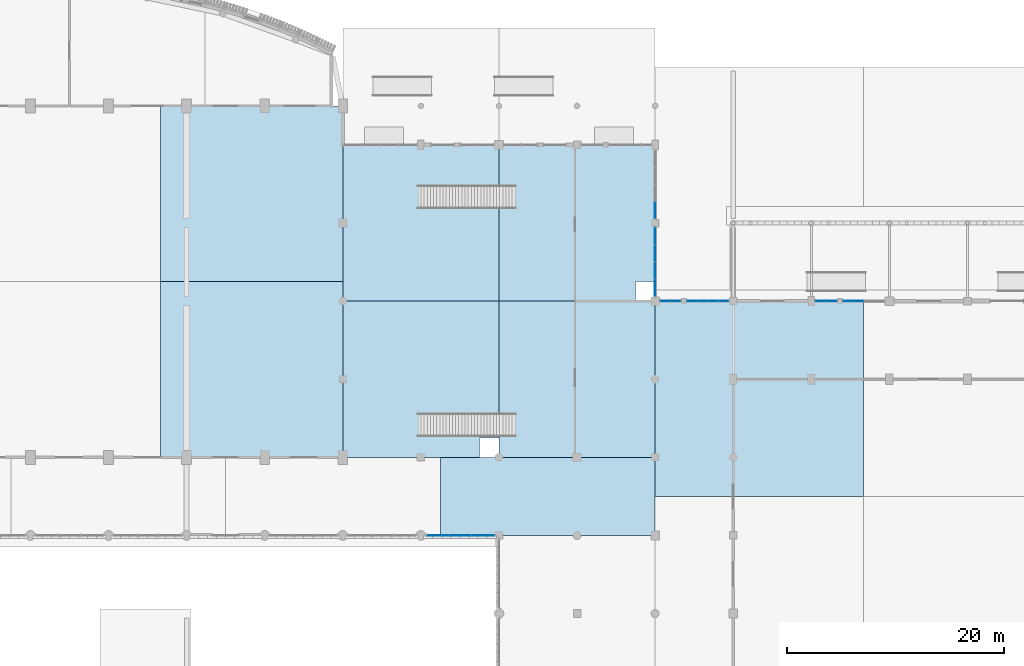
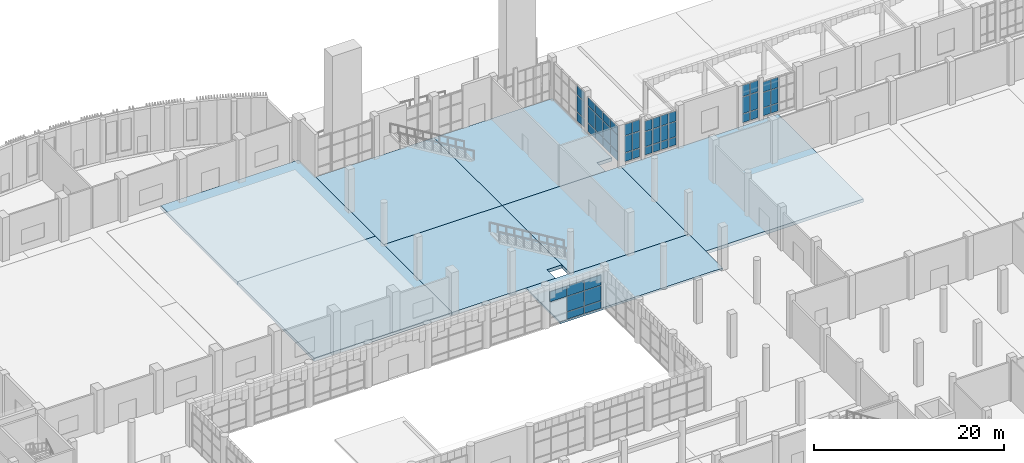
# One storey, part 43 of 85: 52 plates, 8 slabs, 7 elements without a shape of their own.
"""IFC4 building model written with IfcOpenShell, lengths in metres."""

from ifc_helpers import new_model, si_unit, direction, frame, origin, origin_2d, place, context, subcontext, project, spatial, polyline, rectangle, outline, extrude, material, layer, layer_set, type_object, element, aggregate, save


model = new_model("IFC4")

# Units and contexts
model_context = context("Model", 3, precision=1e-05, world=origin(), true_north=direction((0.0, 1.0)))
body_context = subcontext(model_context, "Body", "Model", "MODEL_VIEW")
ifc_project = project(units=[si_unit("LENGTHUNIT", "METRE"), si_unit("AREAUNIT", "SQUARE_METRE"), si_unit("VOLUMEUNIT", "CUBIC_METRE"), si_unit("PLANEANGLEUNIT", "RADIAN"), si_unit("MASSUNIT", "GRAM", prefix="KILO")], contexts=[model_context])

# Site, building, storey
site_placement = place(None, origin())
site = spatial("IfcSite", under=ifc_project, at=site_placement, CompositionType="ELEMENT")
building_placement = place(site_placement, origin())
building = spatial("IfcBuilding", under=site, at=building_placement, Name="Sardonyx Promenade Sports Hall", CompositionType="ELEMENT")
storey_placement = place(building_placement, origin())
storey = spatial("IfcBuildingStorey", under=building, at=storey_placement, Name="L00", CompositionType="ELEMENT", Elevation=0.0)

# Curtain wall, plates
ifc_material_1 = material(Name="Aluminium 6063-T6", Category="aluminium")
curtain_wall_type_1 = type_object("IfcCurtainWallType", Name="CW_Riwaq_L00_640", PredefinedType="USERDEFINED", material=ifc_material_1)
curtain_wall_1_placement = place(storey_placement, origin())
curtain_wall_1 = element("IfcCurtainWall", 1, at=curtain_wall_1_placement, inside=storey, type_object=curtain_wall_type_1, Name="Curtain wall CW17 cw:L00:119", ObjectType="CURTAIN WALL", PredefinedType="USERDEFINED")
ifc_material_2 = material(Name="Double-glazed acoustic IGU 32 mm", Category="glass")
ifc_layer_1 = layer(ifc_material_2, 0.031982421875)
ifc_layer_set_1 = layer_set([ifc_layer_1], Name="CW_Pan_Glz_32")
plate_type_1 = type_object("IfcPlateType", Name="CW_Pan_Glz_32", PredefinedType="CURTAIN_PANEL", material=ifc_layer_set_1)
plate_1_placement = place(storey_placement, frame((92.1484375, 64.800048828125, 0.06494140625), z_axis=(0.0, 0.0, 1.0), x_axis=(-1.0, 0.0, 0.0)))
plate_1 = element("IfcPlate", 2, at=plate_1_placement, type_object=plate_type_1, Name="Curtain panel CP02 cw:L00:119 #1", PredefinedType="CURTAIN_PANEL", context=body_context, shape_type="SweptSolid", body=[
    extrude(rectangle(XDim=2.033447265625, YDim=0.031982421875, at=origin_2d()), origin(), (0.0, 0.0, 1.0), 0.902587890625),
])
plate_2_placement = place(storey_placement, frame((92.1484375, 64.800048828125, 1.032470703125), z_axis=(0.0, 0.0, 1.0), x_axis=(-1.0, 0.0, 0.0)))
plate_2 = element("IfcPlate", 3, at=plate_2_placement, type_object=plate_type_1, Name="Curtain panel CP02 cw:L00:119 #2", PredefinedType="CURTAIN_PANEL", context=body_context, shape_type="SweptSolid", body=[
    extrude(rectangle(XDim=2.033447265625, YDim=0.031982421875, at=origin_2d()), origin(), (0.0, 0.0, 1.0), 1.93505859375),
])
plate_3_placement = place(storey_placement, frame((92.1484375, 64.800048828125, 3.03271484375), z_axis=(0.0, 0.0, 1.0), x_axis=(-1.0, 0.0, 0.0)))
plate_3 = element("IfcPlate", 4, at=plate_3_placement, type_object=plate_type_1, Name="Curtain panel CP02 cw:L00:119 #3", PredefinedType="CURTAIN_PANEL", context=body_context, shape_type="SweptSolid", body=[
    extrude(rectangle(XDim=2.033447265625, YDim=0.031982421875, at=origin_2d()), origin(), (0.0, 0.0, 1.0), 1.302490234375),
])
plate_4_placement = place(storey_placement, frame((90.050048828125, 64.800048828125, 0.06494140625), z_axis=(0.0, 0.0, 1.0), x_axis=(-1.0, 0.0, 0.0)))
plate_4 = element("IfcPlate", 5, at=plate_4_placement, type_object=plate_type_1, Name="Curtain panel CP02 cw:L00:119 #4", PredefinedType="CURTAIN_PANEL", context=body_context, shape_type="SweptSolid", body=[
    extrude(rectangle(XDim=2.033447265625, YDim=0.031982421875, at=origin_2d()), origin(), (0.0, 0.0, 1.0), 0.902587890625),
])
plate_5_placement = place(storey_placement, frame((90.050048828125, 64.800048828125, 1.032470703125), z_axis=(0.0, 0.0, 1.0), x_axis=(-1.0, 0.0, 0.0)))
plate_5 = element("IfcPlate", 6, at=plate_5_placement, type_object=plate_type_1, Name="Curtain panel CP02 cw:L00:119 #5", PredefinedType="CURTAIN_PANEL", context=body_context, shape_type="SweptSolid", body=[
    extrude(rectangle(XDim=2.033447265625, YDim=0.031982421875, at=origin_2d()), origin(), (0.0, 0.0, 1.0), 1.93505859375),
])
plate_6_placement = place(storey_placement, frame((90.050048828125, 64.800048828125, 3.03271484375), z_axis=(0.0, 0.0, 1.0), x_axis=(-1.0, 0.0, 0.0)))
plate_6 = element("IfcPlate", 7, at=plate_6_placement, type_object=plate_type_1, Name="Curtain panel CP02 cw:L00:119 #6", PredefinedType="CURTAIN_PANEL", context=body_context, shape_type="SweptSolid", body=[
    extrude(rectangle(XDim=2.033447265625, YDim=0.031982421875, at=origin_2d()), origin(), (0.0, 0.0, 1.0), 1.302490234375),
])
plate_7_placement = place(storey_placement, frame((87.95166015625, 64.800048828125, 3.03271484375), z_axis=(0.0, 0.0, 1.0), x_axis=(-1.0, 0.0, 0.0)))
plate_7 = element("IfcPlate", 8, at=plate_7_placement, type_object=plate_type_1, Name="Curtain panel CP02 cw:L00:119 #9", PredefinedType="CURTAIN_PANEL", context=body_context, shape_type="SweptSolid", body=[
    extrude(rectangle(XDim=2.033447265625, YDim=0.031982421875, at=origin_2d()), origin(), (0.0, 0.0, 1.0), 1.302490234375),
])
aggregate(curtain_wall_1, [plate_1, plate_2, plate_3, plate_4, plate_5, plate_6, plate_7])

ifc_material_3 = material(Name="Aluminium 6063-T6", Category="aluminium")
curtain_wall_type_2 = type_object("IfcCurtainWallType", Name="CW_Prac_North_L00", PredefinedType="USERDEFINED", material=ifc_material_3)
curtain_wall_2_placement = place(storey_placement, origin())
curtain_wall_2 = element("IfcCurtainWall", 9, at=curtain_wall_2_placement, inside=storey, type_object=curtain_wall_type_2, Name="Curtain wall CW06 cw:L00:098", ObjectType="CURTAIN WALL", PredefinedType="USERDEFINED")
ifc_material_4 = material(Name="Laminated safety sports IGU 36 mm", Category="glass")
ifc_layer_2 = layer(ifc_material_4, 0.035888671875)
ifc_layer_set_2 = layer_set([ifc_layer_2], Name="CW_Pan_Glz_36")
plate_type_2 = type_object("IfcPlateType", Name="CW_Pan_Glz_36", PredefinedType="CURTAIN_PANEL", material=ifc_layer_set_2)
plate_8_placement = place(storey_placement, frame((111.4130859375, 86.39990234375, 0.419921875), z_axis=(0.0, 0.0, 1.0), x_axis=(1.0, 0.0, 0.0)))
plate_8 = element("IfcPlate", 10, at=plate_8_placement, type_object=plate_type_2, Name="Curtain panel CP03 cw:L00:098 #1", PredefinedType="CURTAIN_PANEL", context=body_context, shape_type="SweptSolid", body=[
    extrude(rectangle(XDim=0.896240234375, YDim=0.035888671875, at=origin_2d()), origin(), (0.0, 0.0, 1.0), 0.9951171875),
])
plate_9_placement = place(storey_placement, frame((111.4130859375, 86.39990234375, 1.48486328125), z_axis=(0.0, 0.0, 1.0), x_axis=(1.0, 0.0, 0.0)))
plate_9 = element("IfcPlate", 11, at=plate_9_placement, type_object=plate_type_2, Name="Curtain panel CP03 cw:L00:098 #2", PredefinedType="CURTAIN_PANEL", context=body_context, shape_type="SweptSolid", body=[
    extrude(rectangle(XDim=0.896240234375, YDim=0.035888671875, at=origin_2d()), origin(), (0.0, 0.0, 1.0), 1.929931640625),
])
plate_10_placement = place(storey_placement, frame((111.4130859375, 86.39990234375, 3.485107421875), z_axis=(0.0, 0.0, 1.0), x_axis=(1.0, 0.0, 0.0)))
plate_10 = element("IfcPlate", 12, at=plate_10_placement, type_object=plate_type_2, Name="Curtain panel CP03 cw:L00:098 #3", PredefinedType="CURTAIN_PANEL", context=body_context, shape_type="SweptSolid", body=[
    extrude(rectangle(XDim=0.896240234375, YDim=0.035888671875, at=origin_2d()), origin(), (0.0, 0.0, 1.0), 1.294921875),
])
plate_11_placement = place(storey_placement, frame((112.37939453125, 86.39990234375, 0.419921875), z_axis=(0.0, 0.0, 1.0), x_axis=(1.0, 0.0, 0.0)))
plate_11 = element("IfcPlate", 13, at=plate_11_placement, type_object=plate_type_2, Name="Curtain panel CP03 cw:L00:098 #4", PredefinedType="CURTAIN_PANEL", context=body_context, shape_type="SweptSolid", body=[
    extrude(rectangle(XDim=0.896240234375, YDim=0.035888671875, at=origin_2d()), origin(), (0.0, 0.0, 1.0), 0.9951171875),
])
plate_12_placement = place(storey_placement, frame((112.37939453125, 86.39990234375, 1.48486328125), z_axis=(0.0, 0.0, 1.0), x_axis=(1.0, 0.0, 0.0)))
plate_12 = element("IfcPlate", 14, at=plate_12_placement, type_object=plate_type_2, Name="Curtain panel CP03 cw:L00:098 #5", PredefinedType="CURTAIN_PANEL", context=body_context, shape_type="SweptSolid", body=[
    extrude(rectangle(XDim=0.896240234375, YDim=0.035888671875, at=origin_2d()), origin(), (0.0, 0.0, 1.0), 1.929931640625),
])
plate_13_placement = place(storey_placement, frame((112.37939453125, 86.39990234375, 3.485107421875), z_axis=(0.0, 0.0, 1.0), x_axis=(1.0, 0.0, 0.0)))
plate_13 = element("IfcPlate", 15, at=plate_13_placement, type_object=plate_type_2, Name="Curtain panel CP03 cw:L00:098 #6", PredefinedType="CURTAIN_PANEL", context=body_context, shape_type="SweptSolid", body=[
    extrude(rectangle(XDim=0.896240234375, YDim=0.035888671875, at=origin_2d()), origin(), (0.0, 0.0, 1.0), 1.294921875),
])
plate_14_placement = place(storey_placement, frame((113.345703125, 86.39990234375, 0.419921875), z_axis=(0.0, 0.0, 1.0), x_axis=(1.0, 0.0, 0.0)))
plate_14 = element("IfcPlate", 16, at=plate_14_placement, type_object=plate_type_2, Name="Curtain panel CP03 cw:L00:098 #7", PredefinedType="CURTAIN_PANEL", context=body_context, shape_type="SweptSolid", body=[
    extrude(rectangle(XDim=0.896240234375, YDim=0.035888671875, at=origin_2d()), origin(), (0.0, 0.0, 1.0), 0.9951171875),
])
plate_15_placement = place(storey_placement, frame((113.345703125, 86.39990234375, 1.48486328125), z_axis=(0.0, 0.0, 1.0), x_axis=(1.0, 0.0, 0.0)))
plate_15 = element("IfcPlate", 17, at=plate_15_placement, type_object=plate_type_2, Name="Curtain panel CP03 cw:L00:098 #8", PredefinedType="CURTAIN_PANEL", context=body_context, shape_type="SweptSolid", body=[
    extrude(rectangle(XDim=0.896240234375, YDim=0.035888671875, at=origin_2d()), origin(), (0.0, 0.0, 1.0), 1.929931640625),
])
plate_16_placement = place(storey_placement, frame((113.345703125, 86.39990234375, 3.485107421875), z_axis=(0.0, 0.0, 1.0), x_axis=(1.0, 0.0, 0.0)))
plate_16 = element("IfcPlate", 18, at=plate_16_placement, type_object=plate_type_2, Name="Curtain panel CP03 cw:L00:098 #9", PredefinedType="CURTAIN_PANEL", context=body_context, shape_type="SweptSolid", body=[
    extrude(rectangle(XDim=0.896240234375, YDim=0.035888671875, at=origin_2d()), origin(), (0.0, 0.0, 1.0), 1.294921875),
])
plate_17_placement = place(storey_placement, frame((114.311767578125, 86.39990234375, 0.419921875), z_axis=(0.0, 0.0, 1.0), x_axis=(1.0, 0.0, 0.0)))
plate_17 = element("IfcPlate", 19, at=plate_17_placement, type_object=plate_type_2, Name="Curtain panel CP03 cw:L00:098 #10", PredefinedType="CURTAIN_PANEL", context=body_context, shape_type="SweptSolid", body=[
    extrude(rectangle(XDim=0.896240234375, YDim=0.035888671875, at=origin_2d()), origin(), (0.0, 0.0, 1.0), 0.9951171875),
])
plate_18_placement = place(storey_placement, frame((114.311767578125, 86.39990234375, 1.48486328125), z_axis=(0.0, 0.0, 1.0), x_axis=(1.0, 0.0, 0.0)))
plate_18 = element("IfcPlate", 20, at=plate_18_placement, type_object=plate_type_2, Name="Curtain panel CP03 cw:L00:098 #11", PredefinedType="CURTAIN_PANEL", context=body_context, shape_type="SweptSolid", body=[
    extrude(rectangle(XDim=0.896240234375, YDim=0.035888671875, at=origin_2d()), origin(), (0.0, 0.0, 1.0), 1.929931640625),
])
plate_19_placement = place(storey_placement, frame((114.311767578125, 86.39990234375, 3.485107421875), z_axis=(0.0, 0.0, 1.0), x_axis=(1.0, 0.0, 0.0)))
plate_19 = element("IfcPlate", 21, at=plate_19_placement, type_object=plate_type_2, Name="Curtain panel CP03 cw:L00:098 #12", PredefinedType="CURTAIN_PANEL", context=body_context, shape_type="SweptSolid", body=[
    extrude(rectangle(XDim=0.896240234375, YDim=0.035888671875, at=origin_2d()), origin(), (0.0, 0.0, 1.0), 1.294921875),
])
aggregate(curtain_wall_2, [plate_8, plate_9, plate_10, plate_11, plate_12, plate_13, plate_14, plate_15, plate_16, plate_17, plate_18, plate_19])

curtain_wall_3_placement = place(storey_placement, origin())
curtain_wall_3 = element("IfcCurtainWall", 22, at=curtain_wall_3_placement, inside=storey, type_object=curtain_wall_type_2, Name="Curtain wall CW06 cw:L00:100", ObjectType="CURTAIN WALL", PredefinedType="USERDEFINED")
plate_20_placement = place(storey_placement, frame((125.806884765625, 86.39990234375, 0.419921875), z_axis=(0.0, 0.0, 1.0), x_axis=(1.0, 0.0, 0.0)))
plate_20 = element("IfcPlate", 23, at=plate_20_placement, type_object=plate_type_2, Name="Curtain panel CP03 cw:L00:100 #1", PredefinedType="CURTAIN_PANEL", context=body_context, shape_type="SweptSolid", body=[
    extrude(rectangle(XDim=0.8837890625, YDim=0.035888671875, at=origin_2d()), origin(), (0.0, 0.0, 1.0), 0.9951171875),
])
plate_21_placement = place(storey_placement, frame((125.806884765625, 86.39990234375, 1.48486328125), z_axis=(0.0, 0.0, 1.0), x_axis=(1.0, 0.0, 0.0)))
plate_21 = element("IfcPlate", 24, at=plate_21_placement, type_object=plate_type_2, Name="Curtain panel CP03 cw:L00:100 #2", PredefinedType="CURTAIN_PANEL", context=body_context, shape_type="SweptSolid", body=[
    extrude(rectangle(XDim=0.8837890625, YDim=0.035888671875, at=origin_2d()), origin(), (0.0, 0.0, 1.0), 1.929931640625),
])
plate_22_placement = place(storey_placement, frame((125.806884765625, 86.39990234375, 3.485107421875), z_axis=(0.0, 0.0, 1.0), x_axis=(1.0, 0.0, 0.0)))
plate_22 = element("IfcPlate", 25, at=plate_22_placement, type_object=plate_type_2, Name="Curtain panel CP03 cw:L00:100 #3", PredefinedType="CURTAIN_PANEL", context=body_context, shape_type="SweptSolid", body=[
    extrude(rectangle(XDim=0.8837890625, YDim=0.035888671875, at=origin_2d()), origin(), (0.0, 0.0, 1.0), 1.294921875),
])
plate_23_placement = place(storey_placement, frame((126.7607421875, 86.39990234375, 0.419921875), z_axis=(0.0, 0.0, 1.0), x_axis=(1.0, 0.0, 0.0)))
plate_23 = element("IfcPlate", 26, at=plate_23_placement, type_object=plate_type_2, Name="Curtain panel CP03 cw:L00:100 #4", PredefinedType="CURTAIN_PANEL", context=body_context, shape_type="SweptSolid", body=[
    extrude(rectangle(XDim=0.8837890625, YDim=0.035888671875, at=origin_2d()), origin(), (0.0, 0.0, 1.0), 0.9951171875),
])
plate_24_placement = place(storey_placement, frame((126.7607421875, 86.39990234375, 1.48486328125), z_axis=(0.0, 0.0, 1.0), x_axis=(1.0, 0.0, 0.0)))
plate_24 = element("IfcPlate", 27, at=plate_24_placement, type_object=plate_type_2, Name="Curtain panel CP03 cw:L00:100 #5", PredefinedType="CURTAIN_PANEL", context=body_context, shape_type="SweptSolid", body=[
    extrude(rectangle(XDim=0.8837890625, YDim=0.035888671875, at=origin_2d()), origin(), (0.0, 0.0, 1.0), 1.929931640625),
])
plate_25_placement = place(storey_placement, frame((126.7607421875, 86.39990234375, 3.485107421875), z_axis=(0.0, 0.0, 1.0), x_axis=(1.0, 0.0, 0.0)))
plate_25 = element("IfcPlate", 28, at=plate_25_placement, type_object=plate_type_2, Name="Curtain panel CP03 cw:L00:100 #6", PredefinedType="CURTAIN_PANEL", context=body_context, shape_type="SweptSolid", body=[
    extrude(rectangle(XDim=0.8837890625, YDim=0.035888671875, at=origin_2d()), origin(), (0.0, 0.0, 1.0), 1.294921875),
])
aggregate(curtain_wall_3, [plate_20, plate_21, plate_22, plate_23, plate_24, plate_25])

ifc_material_5 = material(Name="Aluminium 6063-T6", Category="aluminium")
curtain_wall_type_3 = type_object("IfcCurtainWallType", Name="CW_Foyer_L00_Tall", PredefinedType="USERDEFINED", material=ifc_material_5)
curtain_wall_4_placement = place(storey_placement, origin())
curtain_wall_4 = element("IfcCurtainWall", 29, at=curtain_wall_4_placement, inside=storey, type_object=curtain_wall_type_3, Name="Curtain wall CW13 cw:L00:093", ObjectType="CURTAIN WALL", PredefinedType="USERDEFINED")
ifc_material_6 = material(Name="Triple-glazed harbour solar IGU 40 mm", Category="glass")
ifc_layer_3 = layer(ifc_material_6, 0.0400390625)
ifc_layer_set_3 = layer_set([ifc_layer_3], Name="CW_Pan_Glz_40")
plate_type_3 = type_object("IfcPlateType", Name="CW_Pan_Glz_40", PredefinedType="CURTAIN_PANEL", material=ifc_layer_set_3)
plate_26_placement = place(storey_placement, frame((108.0, 94.793212890625, 0.375), z_axis=(0.0, 0.0, 1.0), x_axis=(0.0, -1.0, 0.0)))
plate_26 = element("IfcPlate", 30, at=plate_26_placement, type_object=plate_type_3, Name="Curtain panel CP04 cw:L00:093 #10", PredefinedType="CURTAIN_PANEL", context=body_context, shape_type="SweptSolid", body=[
    extrude(rectangle(XDim=1.496337890625, YDim=0.0400390625, at=origin_2d()), origin(), (0.0, 0.0, 1.0), 1.08740234375),
])
plate_27_placement = place(storey_placement, frame((108.0, 94.793212890625, 1.53759765625), z_axis=(0.0, 0.0, 1.0), x_axis=(0.0, -1.0, 0.0)))
plate_27 = element("IfcPlate", 31, at=plate_27_placement, type_object=plate_type_3, Name="Curtain panel CP04 cw:L00:093 #11", PredefinedType="CURTAIN_PANEL", context=body_context, shape_type="SweptSolid", body=[
    extrude(rectangle(XDim=1.496337890625, YDim=0.0400390625, at=origin_2d()), origin(), (0.0, 0.0, 1.0), 2.125),
])
plate_28_placement = place(storey_placement, frame((108.0, 94.793212890625, 3.7373046875), z_axis=(0.0, 0.0, 1.0), x_axis=(0.0, -1.0, 0.0)))
plate_28 = element("IfcPlate", 32, at=plate_28_placement, type_object=plate_type_3, Name="Curtain panel CP04 cw:L00:093 #12", PredefinedType="CURTAIN_PANEL", context=body_context, shape_type="SweptSolid", body=[
    extrude(rectangle(XDim=1.496337890625, YDim=0.0400390625, at=origin_2d()), origin(), (0.0, 0.0, 1.0), 1.172607421875),
])
aggregate(curtain_wall_4, [plate_26, plate_27, plate_28])

curtain_wall_5_placement = place(storey_placement, origin())
curtain_wall_5 = element("IfcCurtainWall", 33, at=curtain_wall_5_placement, inside=storey, type_object=curtain_wall_type_3, Name="Curtain wall CW13 cw:L00:094", ObjectType="CURTAIN WALL", PredefinedType="USERDEFINED")
plate_29_placement = place(storey_placement, frame((108.0, 92.400634765625, 0.375), z_axis=(0.0, 0.0, 1.0), x_axis=(0.0, -1.0, 0.0)))
plate_29 = element("IfcPlate", 34, at=plate_29_placement, type_object=plate_type_3, Name="Curtain panel CP04 cw:L00:094 #1", PredefinedType="CURTAIN_PANEL", context=body_context, shape_type="SweptSolid", body=[
    extrude(rectangle(XDim=1.5087890625, YDim=0.0400390625, at=origin_2d()), origin(), (0.0, 0.0, 1.0), 1.08740234375),
])
plate_30_placement = place(storey_placement, frame((108.0, 92.400634765625, 1.53759765625), z_axis=(0.0, 0.0, 1.0), x_axis=(0.0, -1.0, 0.0)))
plate_30 = element("IfcPlate", 35, at=plate_30_placement, type_object=plate_type_3, Name="Curtain panel CP04 cw:L00:094 #2", PredefinedType="CURTAIN_PANEL", context=body_context, shape_type="SweptSolid", body=[
    extrude(rectangle(XDim=1.5087890625, YDim=0.0400390625, at=origin_2d()), origin(), (0.0, 0.0, 1.0), 2.125),
])
plate_31_placement = place(storey_placement, frame((108.0, 92.400634765625, 3.7373046875), z_axis=(0.0, 0.0, 1.0), x_axis=(0.0, -1.0, 0.0)))
plate_31 = element("IfcPlate", 36, at=plate_31_placement, type_object=plate_type_3, Name="Curtain panel CP04 cw:L00:094 #3", PredefinedType="CURTAIN_PANEL", context=body_context, shape_type="SweptSolid", body=[
    extrude(rectangle(XDim=1.5087890625, YDim=0.0400390625, at=origin_2d()), origin(), (0.0, 0.0, 1.0), 1.052490234375),
])
plate_32_placement = place(storey_placement, frame((108.0, 90.81689453125, 0.375), z_axis=(0.0, 0.0, 1.0), x_axis=(0.0, -1.0, 0.0)))
plate_32 = element("IfcPlate", 37, at=plate_32_placement, type_object=plate_type_3, Name="Curtain panel CP04 cw:L00:094 #4", PredefinedType="CURTAIN_PANEL", context=body_context, shape_type="SweptSolid", body=[
    extrude(rectangle(XDim=1.5087890625, YDim=0.0400390625, at=origin_2d()), origin(), (0.0, 0.0, 1.0), 1.08740234375),
])
plate_33_placement = place(storey_placement, frame((108.0, 90.81689453125, 1.53759765625), z_axis=(0.0, 0.0, 1.0), x_axis=(0.0, -1.0, 0.0)))
plate_33 = element("IfcPlate", 38, at=plate_33_placement, type_object=plate_type_3, Name="Curtain panel CP04 cw:L00:094 #5", PredefinedType="CURTAIN_PANEL", context=body_context, shape_type="SweptSolid", body=[
    extrude(rectangle(XDim=1.5087890625, YDim=0.0400390625, at=origin_2d()), origin(), (0.0, 0.0, 1.0), 2.125),
])
plate_34_placement = place(storey_placement, frame((108.0, 90.81689453125, 3.7373046875), z_axis=(0.0, 0.0, 1.0), x_axis=(0.0, -1.0, 0.0)))
plate_34 = element("IfcPlate", 39, at=plate_34_placement, type_object=plate_type_3, Name="Curtain panel CP04 cw:L00:094 #6", PredefinedType="CURTAIN_PANEL", context=body_context, shape_type="SweptSolid", body=[
    extrude(rectangle(XDim=1.5087890625, YDim=0.0400390625, at=origin_2d()), origin(), (0.0, 0.0, 1.0), 1.052490234375),
])
plate_35_placement = place(storey_placement, frame((108.0, 89.233154296875, 0.375), z_axis=(0.0, 0.0, 1.0), x_axis=(0.0, -1.0, 0.0)))
plate_35 = element("IfcPlate", 40, at=plate_35_placement, type_object=plate_type_3, Name="Curtain panel CP04 cw:L00:094 #7", PredefinedType="CURTAIN_PANEL", context=body_context, shape_type="SweptSolid", body=[
    extrude(rectangle(XDim=1.5087890625, YDim=0.0400390625, at=origin_2d()), origin(), (0.0, 0.0, 1.0), 1.08740234375),
])
plate_36_placement = place(storey_placement, frame((108.0, 89.233154296875, 1.53759765625), z_axis=(0.0, 0.0, 1.0), x_axis=(0.0, -1.0, 0.0)))
plate_36 = element("IfcPlate", 41, at=plate_36_placement, type_object=plate_type_3, Name="Curtain panel CP04 cw:L00:094 #8", PredefinedType="CURTAIN_PANEL", context=body_context, shape_type="SweptSolid", body=[
    extrude(rectangle(XDim=1.5087890625, YDim=0.0400390625, at=origin_2d()), origin(), (0.0, 0.0, 1.0), 2.125),
])
plate_37_placement = place(storey_placement, frame((108.0, 89.233154296875, 3.7373046875), z_axis=(0.0, 0.0, 1.0), x_axis=(0.0, -1.0, 0.0)))
plate_37 = element("IfcPlate", 42, at=plate_37_placement, type_object=plate_type_3, Name="Curtain panel CP04 cw:L00:094 #9", PredefinedType="CURTAIN_PANEL", context=body_context, shape_type="SweptSolid", body=[
    extrude(rectangle(XDim=1.5087890625, YDim=0.0400390625, at=origin_2d()), origin(), (0.0, 0.0, 1.0), 1.052490234375),
])
plate_38_placement = place(storey_placement, frame((108.0, 87.6494140625, 0.375), z_axis=(0.0, 0.0, 1.0), x_axis=(0.0, -1.0, 0.0)))
plate_38 = element("IfcPlate", 43, at=plate_38_placement, type_object=plate_type_3, Name="Curtain panel CP04 cw:L00:094 #10", PredefinedType="CURTAIN_PANEL", context=body_context, shape_type="SweptSolid", body=[
    extrude(rectangle(XDim=1.5087890625, YDim=0.0400390625, at=origin_2d()), origin(), (0.0, 0.0, 1.0), 1.08740234375),
])
plate_39_placement = place(storey_placement, frame((108.0, 87.6494140625, 1.53759765625), z_axis=(0.0, 0.0, 1.0), x_axis=(0.0, -1.0, 0.0)))
plate_39 = element("IfcPlate", 44, at=plate_39_placement, type_object=plate_type_3, Name="Curtain panel CP04 cw:L00:094 #11", PredefinedType="CURTAIN_PANEL", context=body_context, shape_type="SweptSolid", body=[
    extrude(rectangle(XDim=1.5087890625, YDim=0.0400390625, at=origin_2d()), origin(), (0.0, 0.0, 1.0), 2.125),
])
plate_40_placement = place(storey_placement, frame((108.0, 87.6494140625, 3.7373046875), z_axis=(0.0, 0.0, 1.0), x_axis=(0.0, -1.0, 0.0)))
plate_40 = element("IfcPlate", 45, at=plate_40_placement, type_object=plate_type_3, Name="Curtain panel CP04 cw:L00:094 #12", PredefinedType="CURTAIN_PANEL", context=body_context, shape_type="SweptSolid", body=[
    extrude(rectangle(XDim=1.5087890625, YDim=0.0400390625, at=origin_2d()), origin(), (0.0, 0.0, 1.0), 1.052490234375),
])
aggregate(curtain_wall_5, [plate_29, plate_30, plate_31, plate_32, plate_33, plate_34, plate_35, plate_36, plate_37, plate_38, plate_39, plate_40])

ifc_material_7 = material(Name="Aluminium 6063-T6", Category="aluminium")
curtain_wall_type_4 = type_object("IfcCurtainWallType", Name="CW_Foyer_Pilaster_L00", PredefinedType="USERDEFINED", material=ifc_material_7)
curtain_wall_6_placement = place(storey_placement, origin())
curtain_wall_6 = element("IfcCurtainWall", 46, at=curtain_wall_6_placement, inside=storey, type_object=curtain_wall_type_4, Name="Curtain wall CW20 cw:L00:097", ObjectType="CURTAIN WALL", PredefinedType="USERDEFINED")
plate_41_placement = place(storey_placement, frame((108.93505859375, 86.39990234375, 0.425048828125), z_axis=(0.0, 0.0, 1.0), x_axis=(1.0, 0.0, 0.0)))
plate_41 = element("IfcPlate", 47, at=plate_41_placement, type_object=plate_type_3, Name="Curtain panel CP04 cw:L00:097 #1", PredefinedType="CURTAIN_PANEL", context=body_context, shape_type="SweptSolid", body=[
    extrude(rectangle(XDim=0.8798828125, YDim=0.0400390625, at=origin_2d()), origin(), (0.0, 0.0, 1.0), 1.08740234375),
])
plate_42_placement = place(storey_placement, frame((108.93505859375, 86.39990234375, 1.58740234375), z_axis=(0.0, 0.0, 1.0), x_axis=(1.0, 0.0, 0.0)))
plate_42 = element("IfcPlate", 48, at=plate_42_placement, type_object=plate_type_3, Name="Curtain panel CP04 cw:L00:097 #2", PredefinedType="CURTAIN_PANEL", context=body_context, shape_type="SweptSolid", body=[
    extrude(rectangle(XDim=0.8798828125, YDim=0.0400390625, at=origin_2d()), origin(), (0.0, 0.0, 1.0), 2.125),
])
plate_43_placement = place(storey_placement, frame((108.93505859375, 86.39990234375, 3.78759765625), z_axis=(0.0, 0.0, 1.0), x_axis=(1.0, 0.0, 0.0)))
plate_43 = element("IfcPlate", 49, at=plate_43_placement, type_object=plate_type_3, Name="Curtain panel CP04 cw:L00:097 #3", PredefinedType="CURTAIN_PANEL", context=body_context, shape_type="SweptSolid", body=[
    extrude(rectangle(XDim=0.8798828125, YDim=0.0400390625, at=origin_2d()), origin(), (0.0, 0.0, 1.0), 1.4375),
])
plate_44_placement = place(storey_placement, frame((109.889892578125, 86.39990234375, 0.425048828125), z_axis=(0.0, 0.0, 1.0), x_axis=(1.0, 0.0, 0.0)))
plate_44 = element("IfcPlate", 50, at=plate_44_placement, type_object=plate_type_3, Name="Curtain panel CP04 cw:L00:097 #4", PredefinedType="CURTAIN_PANEL", context=body_context, shape_type="SweptSolid", body=[
    extrude(rectangle(XDim=0.8798828125, YDim=0.0400390625, at=origin_2d()), origin(), (0.0, 0.0, 1.0), 1.08740234375),
])
plate_45_placement = place(storey_placement, frame((109.889892578125, 86.39990234375, 1.58740234375), z_axis=(0.0, 0.0, 1.0), x_axis=(1.0, 0.0, 0.0)))
plate_45 = element("IfcPlate", 51, at=plate_45_placement, type_object=plate_type_3, Name="Curtain panel CP04 cw:L00:097 #5", PredefinedType="CURTAIN_PANEL", context=body_context, shape_type="SweptSolid", body=[
    extrude(rectangle(XDim=0.8798828125, YDim=0.0400390625, at=origin_2d()), origin(), (0.0, 0.0, 1.0), 2.125),
])
plate_46_placement = place(storey_placement, frame((109.889892578125, 86.39990234375, 3.78759765625), z_axis=(0.0, 0.0, 1.0), x_axis=(1.0, 0.0, 0.0)))
plate_46 = element("IfcPlate", 52, at=plate_46_placement, type_object=plate_type_3, Name="Curtain panel CP04 cw:L00:097 #6", PredefinedType="CURTAIN_PANEL", context=body_context, shape_type="SweptSolid", body=[
    extrude(rectangle(XDim=0.8798828125, YDim=0.0400390625, at=origin_2d()), origin(), (0.0, 0.0, 1.0), 1.4375),
])
aggregate(curtain_wall_6, [plate_41, plate_42, plate_43, plate_44, plate_45, plate_46])

curtain_wall_7_placement = place(storey_placement, origin())
curtain_wall_7 = element("IfcCurtainWall", 53, at=curtain_wall_7_placement, inside=storey, type_object=curtain_wall_type_4, Name="Curtain wall CW20 cw:L00:099", ObjectType="CURTAIN WALL", PredefinedType="USERDEFINED")
plate_47_placement = place(storey_placement, frame((123.260009765625, 86.39990234375, 0.425048828125), z_axis=(0.0, 0.0, 1.0), x_axis=(1.0, 0.0, 0.0)))
plate_47 = element("IfcPlate", 54, at=plate_47_placement, type_object=plate_type_3, Name="Curtain panel CP04 cw:L00:099 #1", PredefinedType="CURTAIN_PANEL", context=body_context, shape_type="SweptSolid", body=[
    extrude(rectangle(XDim=0.929931640625, YDim=0.0400390625, at=origin_2d()), origin(), (0.0, 0.0, 1.0), 1.08740234375),
])
plate_48_placement = place(storey_placement, frame((123.260009765625, 86.39990234375, 1.58740234375), z_axis=(0.0, 0.0, 1.0), x_axis=(1.0, 0.0, 0.0)))
plate_48 = element("IfcPlate", 55, at=plate_48_placement, type_object=plate_type_3, Name="Curtain panel CP04 cw:L00:099 #2", PredefinedType="CURTAIN_PANEL", context=body_context, shape_type="SweptSolid", body=[
    extrude(rectangle(XDim=0.929931640625, YDim=0.0400390625, at=origin_2d()), origin(), (0.0, 0.0, 1.0), 2.125),
])
plate_49_placement = place(storey_placement, frame((123.260009765625, 86.39990234375, 3.78759765625), z_axis=(0.0, 0.0, 1.0), x_axis=(1.0, 0.0, 0.0)))
plate_49 = element("IfcPlate", 56, at=plate_49_placement, type_object=plate_type_3, Name="Curtain panel CP04 cw:L00:099 #3", PredefinedType="CURTAIN_PANEL", context=body_context, shape_type="SweptSolid", body=[
    extrude(rectangle(XDim=0.929931640625, YDim=0.0400390625, at=origin_2d()), origin(), (0.0, 0.0, 1.0), 1.4375),
])
plate_50_placement = place(storey_placement, frame((124.264892578125, 86.39990234375, 0.425048828125), z_axis=(0.0, 0.0, 1.0), x_axis=(1.0, 0.0, 0.0)))
plate_50 = element("IfcPlate", 57, at=plate_50_placement, type_object=plate_type_3, Name="Curtain panel CP04 cw:L00:099 #4", PredefinedType="CURTAIN_PANEL", context=body_context, shape_type="SweptSolid", body=[
    extrude(rectangle(XDim=0.929931640625, YDim=0.0400390625, at=origin_2d()), origin(), (0.0, 0.0, 1.0), 1.08740234375),
])
plate_51_placement = place(storey_placement, frame((124.264892578125, 86.39990234375, 1.58740234375), z_axis=(0.0, 0.0, 1.0), x_axis=(1.0, 0.0, 0.0)))
plate_51 = element("IfcPlate", 58, at=plate_51_placement, type_object=plate_type_3, Name="Curtain panel CP04 cw:L00:099 #5", PredefinedType="CURTAIN_PANEL", context=body_context, shape_type="SweptSolid", body=[
    extrude(rectangle(XDim=0.929931640625, YDim=0.0400390625, at=origin_2d()), origin(), (0.0, 0.0, 1.0), 2.125),
])
plate_52_placement = place(storey_placement, frame((124.264892578125, 86.39990234375, 3.78759765625), z_axis=(0.0, 0.0, 1.0), x_axis=(1.0, 0.0, 0.0)))
plate_52 = element("IfcPlate", 59, at=plate_52_placement, type_object=plate_type_3, Name="Curtain panel CP04 cw:L00:099 #6", PredefinedType="CURTAIN_PANEL", context=body_context, shape_type="SweptSolid", body=[
    extrude(rectangle(XDim=0.929931640625, YDim=0.0400390625, at=origin_2d()), origin(), (0.0, 0.0, 1.0), 1.4375),
])
aggregate(curtain_wall_7, [plate_47, plate_48, plate_49, plate_50, plate_51, plate_52])

# Slabs
ifc_material_8 = material(Name="Concrete C40/50", Category="concrete")
ifc_layer_4 = layer(ifc_material_8, 0.409912109375)
ifc_layer_set_4 = layer_set([ifc_layer_4], Name="Slab_Base_Court_300")
slab_type_1 = type_object("IfcSlabType", Name="Slab_Base_Court_300", PredefinedType="BASESLAB", material=ifc_layer_set_4)
slab_1_placement = place(storey_placement, frame((0.0, 0.0, -0.409912109375)))
element("IfcSlab", 60, at=slab_1_placement, inside=storey, type_object=slab_type_1, Name="Slab BS03 L00 #39", PredefinedType="BASESLAB", context=body_context, shape_type="SweptSolid", body=[
    extrude(outline(polyline([(62.39990234375, 72.0), (79.199951171875, 72.0), (79.199951171875, 88.199951171875), (62.39990234375, 88.199951171875), (62.39990234375, 72.0)])), origin(), (0.0, 0.0, 1.0), 0.409912109375),
])
slab_2_placement = place(storey_placement, frame((0.0, 0.0, -0.409912109375)))
element("IfcSlab", 61, at=slab_2_placement, inside=storey, type_object=slab_type_1, Name="Slab BS03 L00 #40", PredefinedType="BASESLAB", context=body_context, shape_type="SweptSolid", body=[
    extrude(outline(polyline([(62.39990234375, 88.199951171875), (79.199951171875, 88.199951171875), (79.199951171875, 104.39990234375), (62.39990234375, 104.39990234375), (62.39990234375, 88.199951171875)])), origin(), (0.0, 0.0, 1.0), 0.409912109375),
])
slab_3_placement = place(storey_placement, frame((0.0, 0.0, -0.409912109375)))
element("IfcSlab", 62, at=slab_3_placement, inside=storey, type_object=slab_type_1, Name="Slab BS03 L00 #42", PredefinedType="BASESLAB", context=body_context, shape_type="SweptSolid", body=[
    extrude(outline(polyline([(108.0, 68.39990234375), (127.199951171875, 68.39990234375), (127.199951171875, 86.39990234375), (108.0, 86.39990234375), (108.0, 68.39990234375)])), origin(), (0.0, 0.0, 1.0), 0.409912109375),
])
ifc_material_9 = material(Name="Concrete C40/50", Category="concrete")
ifc_layer_5 = layer(ifc_material_9, 0.419921875)
ifc_layer_set_5 = layer_set([ifc_layer_5], Name="Slab_Base_L00_350")
slab_type_2 = type_object("IfcSlabType", Name="Slab_Base_L00_350", PredefinedType="BASESLAB", material=ifc_layer_set_5)
slab_4_placement = place(storey_placement, frame((0.0, 0.0, -0.419921875)))
element("IfcSlab", 63, at=slab_4_placement, inside=storey, type_object=slab_type_2, Name="Slab BS02 L00 #51", PredefinedType="BASESLAB", context=body_context, shape_type="SweptSolid", body=[
    extrude(outline(polyline([(79.199951171875, 72.0), (91.800048828125, 72.0), (91.800048828125, 73.800048828125), (93.60009765625, 73.800048828125), (93.60009765625, 86.39990234375), (79.199951171875, 86.39990234375), (79.199951171875, 72.0)])), origin(), (0.0, 0.0, 1.0), 0.419921875),
])
slab_5_placement = place(storey_placement, frame((0.0, 0.0, -0.419921875)))
element("IfcSlab", 64, at=slab_5_placement, inside=storey, type_object=slab_type_2, Name="Slab BS02 L00 #52", PredefinedType="BASESLAB", context=body_context, shape_type="SweptSolid", body=[
    extrude(outline(polyline([(79.199951171875, 86.39990234375), (93.60009765625, 86.39990234375), (93.60009765625, 100.800048828125), (79.199951171875, 100.800048828125), (79.199951171875, 86.39990234375)])), origin(), (0.0, 0.0, 1.0), 0.419921875),
])
slab_6_placement = place(storey_placement, frame((0.0, 0.0, -0.419921875)))
element("IfcSlab", 65, at=slab_6_placement, inside=storey, type_object=slab_type_2, Name="Slab BS02 L00 #53", PredefinedType="BASESLAB", context=body_context, shape_type="SweptSolid", body=[
    extrude(outline(polyline([(93.60009765625, 72.0), (108.0, 72.0), (108.0, 86.39990234375), (93.60009765625, 86.39990234375), (93.60009765625, 72.0)])), origin(), (0.0, 0.0, 1.0), 0.419921875),
])
slab_7_placement = place(storey_placement, frame((0.0, 0.0, -0.419921875)))
element("IfcSlab", 66, at=slab_7_placement, inside=storey, type_object=slab_type_2, Name="Slab BS02 L00 #54", PredefinedType="BASESLAB", context=body_context, shape_type="SweptSolid", body=[
    extrude(outline(polyline([(93.60009765625, 86.39990234375), (106.199951171875, 86.39990234375), (106.199951171875, 88.199951171875), (108.0, 88.199951171875), (108.0, 100.800048828125), (93.60009765625, 100.800048828125), (93.60009765625, 86.39990234375)])), origin(), (0.0, 0.0, 1.0), 0.419921875),
])
ifc_material_10 = material(Name="Concrete C40/50", Category="concrete")
ifc_layer_6 = layer(ifc_material_10, 0.25)
ifc_layer_set_6 = layer_set([ifc_layer_6], Name="Slab_Ext_Apron_180")
slab_type_3 = type_object("IfcSlabType", Name="Slab_Ext_Apron_180", PredefinedType="FLOOR", material=ifc_layer_set_6)
slab_8_placement = place(storey_placement, frame((0.0, 0.0, -0.25)))
element("IfcSlab", 67, at=slab_8_placement, inside=storey, type_object=slab_type_3, Name="Slab TS01 L00 #77", PredefinedType="FLOOR", context=body_context, shape_type="SweptSolid", body=[
    extrude(outline(polyline([(88.199951171875, 64.800048828125), (108.0, 64.800048828125), (108.0, 72.0), (88.199951171875, 72.0), (88.199951171875, 64.800048828125)])), origin(), (0.0, 0.0, 1.0), 0.25),
])

save(model, "model.ifc")
